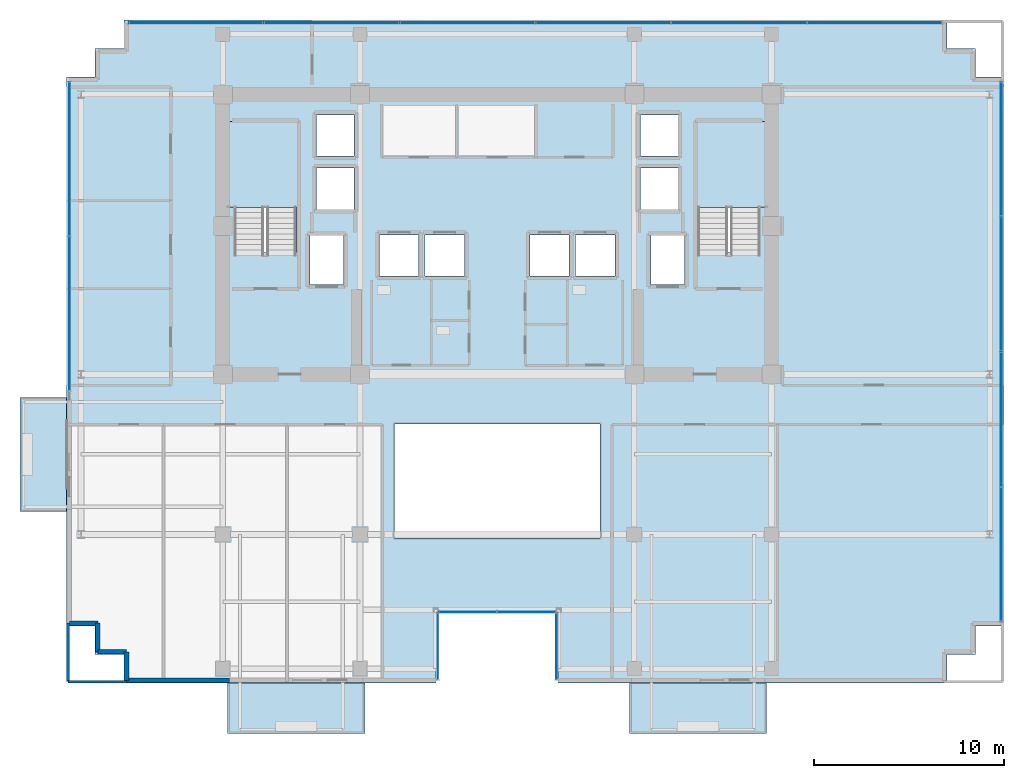
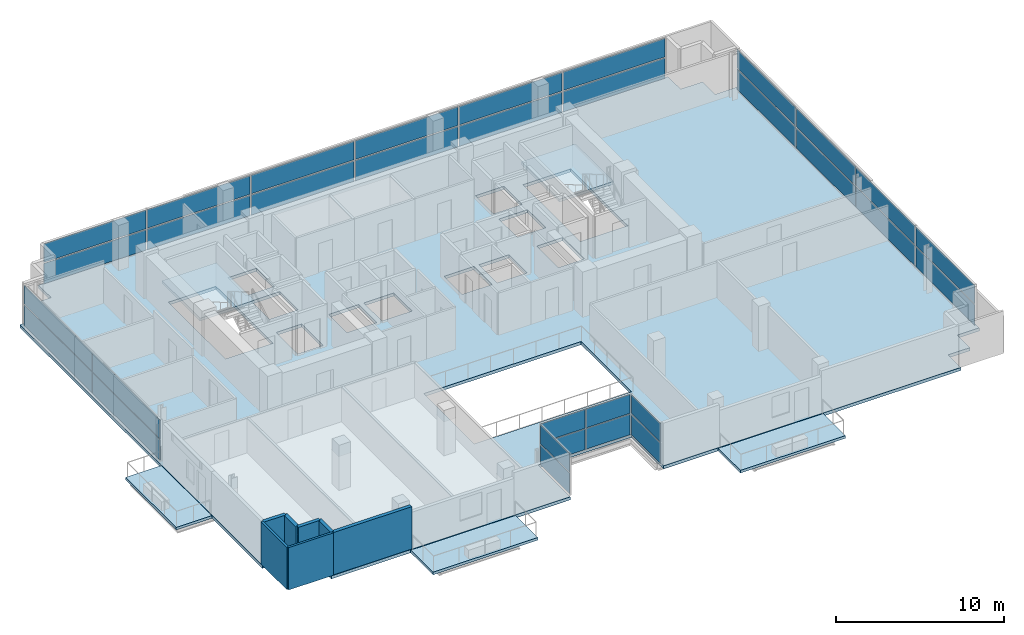
# One storey, part 14 of 22: 32 plates, 7 walls, 6 slabs, 8 elements without a shape of their own.
"""IFC4 building model written with IfcOpenShell, lengths in metres."""

from ifc_helpers import new_model, si_unit, direction, frame, frame_2d, origin, origin_2d, place, context, subcontext, project, spatial, polyline, rectangle, outline, extrude, source, transform, mapped, material, layer, layer_set, type_object, element, aggregate, save


model = new_model("IFC4")

# Units and contexts
model_context = context("Model", 3, precision=1e-05, world=origin(), true_north=direction((0.0, 1.0)))
body_context = subcontext(model_context, "Body", "Model", "MODEL_VIEW")
ifc_project = project(units=[si_unit("LENGTHUNIT", "METRE"), si_unit("AREAUNIT", "SQUARE_METRE"), si_unit("VOLUMEUNIT", "CUBIC_METRE"), si_unit("PLANEANGLEUNIT", "RADIAN"), si_unit("MASSUNIT", "GRAM", prefix="KILO")], contexts=[model_context])

# Site, building, storey
site_placement = place(None, origin())
site = spatial("IfcSite", under=ifc_project, at=site_placement, CompositionType="ELEMENT")
building_placement = place(site_placement, origin())
building = spatial("IfcBuilding", under=site, at=building_placement, Name="Zarnakvel Exchange Tower", CompositionType="ELEMENT")
storey_placement = place(building_placement, frame((0.0, 0.0, 179.199951171875)))
storey = spatial("IfcBuildingStorey", under=building, at=storey_placement, Name="L50", CompositionType="ELEMENT", Elevation=179.199951171875)

# Stair, slab
ifc_material_1 = material(Name="Concrete C40/50", Category="concrete")
stair_type = type_object("IfcStairType", Name="STR-01", PredefinedType="HALF_TURN_STAIR", material=ifc_material_1)
stair_1_placement = place(storey_placement, origin())
stair_1 = element("IfcStair", 1, at=stair_1_placement, inside=storey, type_object=stair_type, Name="L50 Protected Core Exit Stair ST-01", PredefinedType="HALF_TURN_STAIR")
ifc_layer_1 = layer(ifc_material_1, 0.199951171875)
ifc_layer_set_1 = layer_set([ifc_layer_1], Name="Concrete C40/50")
slab_type_1 = type_object("IfcSlabType", Name="LDG-01", PredefinedType="LANDING", material=ifc_layer_set_1)
slab_1_placement = place(storey_placement, frame((0.0, 0.0, 1.449951171875)))
slab_1 = element("IfcSlab", 2, at=slab_1_placement, type_object=slab_type_1, Name="ST-01 landing 1", PredefinedType="LANDING", context=body_context, shape_type="SweptSolid", body=[
    extrude(outline(polyline([(-14.18994140625, 7.570068359375), (-10.4599609375, 7.570068359375), (-10.4599609375, 12.080078125), (-14.18994140625, 12.080078125), (-14.18994140625, 7.570068359375)])), origin(), (0.0, 0.0, 1.0), 0.2001953125),
])
aggregate(stair_1, [slab_1])

stair_2_placement = place(storey_placement, origin())
stair_2 = element("IfcStair", 3, at=stair_2_placement, inside=storey, type_object=stair_type, Name="L50 Protected Core Exit Stair ST-02", PredefinedType="HALF_TURN_STAIR")
slab_2_placement = place(storey_placement, frame((0.0, 0.0, 1.449951171875)))
slab_2 = element("IfcSlab", 4, at=slab_2_placement, type_object=slab_type_1, Name="ST-02 landing 1", PredefinedType="LANDING", context=body_context, shape_type="SweptSolid", body=[
    extrude(outline(polyline([(10.4599609375, 7.570068359375), (14.18994140625, 7.570068359375), (14.18994140625, 12.080078125), (10.4599609375, 12.080078125), (10.4599609375, 7.570068359375)])), origin(), (0.0, 0.0, 1.0), 0.2001953125),
])
aggregate(stair_2, [slab_2])

# Slabs
ifc_layer_2 = layer(ifc_material_1, 0.22509765625)
ifc_layer_set_2 = layer_set([ifc_layer_2], Name="Concrete C40/50")
slab_type_2 = type_object("IfcSlabType", Name="SL-04", PredefinedType="FLOOR", material=ifc_layer_set_2)
slab_3_placement = place(storey_placement, frame((0.0, 0.0, -0.224853515625)))
element("IfcSlab", 5, at=slab_3_placement, inside=storey, type_object=slab_type_2, Name="L50 Primary Structural Floor Slab", PredefinedType="FLOOR", context=body_context, shape_type="SweptSolid", body=[
    extrude(outline(polyline([(-22.60009765625, -14.39990234375), (-21.10009765625, -14.39990234375), (-21.10009765625, -15.89990234375), (-19.60009765625, -15.89990234375), (-19.60009765625, -17.39990234375), (-3.199951171875, -17.39990234375), (-3.199951171875, -13.60009765625), (3.199951171875, -13.60009765625), (3.199951171875, -17.39990234375), (23.60009765625, -17.39990234375), (23.60009765625, -15.89990234375), (25.10009765625, -15.89990234375), (25.10009765625, -14.39990234375), (26.60009765625, -14.39990234375), (26.60009765625, 14.39990234375), (25.10009765625, 14.39990234375), (25.10009765625, 15.89990234375), (23.60009765625, 15.89990234375), (23.60009765625, 17.39990234375), (-19.60009765625, 17.39990234375), (-19.60009765625, 15.89990234375), (-21.10009765625, 15.89990234375), (-21.10009765625, 14.39990234375), (-22.60009765625, 14.39990234375), (-22.60009765625, -14.39990234375)]), holes=[polyline([(-5.39990234375, -9.800048828125), (5.39990234375, -9.800048828125), (5.39990234375, -3.800048828125), (-5.39990234375, -3.800048828125), (-5.39990234375, -9.800048828125)]), polyline([(-13.800048828125, 5.2099609375), (-10.5400390625, 5.2099609375), (-10.5400390625, 12.0), (-13.800048828125, 12.0), (-13.800048828125, 5.2099609375)]), polyline([(10.5400390625, 5.2099609375), (13.800048828125, 5.2099609375), (13.800048828125, 12.0), (10.5400390625, 12.0), (10.5400390625, 5.2099609375)]), polyline([(-9.830078125, 3.52001953125), (-8.070068359375, 3.52001953125), (-8.070068359375, 6.080078125), (-9.830078125, 6.080078125), (-9.830078125, 3.52001953125)]), polyline([(8.070068359375, 3.52001953125), (9.830078125, 3.52001953125), (9.830078125, 6.080078125), (8.070068359375, 6.080078125), (8.070068359375, 3.52001953125)]), polyline([(-6.179931640625, 3.969970703125), (-4.1201171875, 3.969970703125), (-4.1201171875, 6.1298828125), (-6.179931640625, 6.1298828125), (-6.179931640625, 3.969970703125)]), polyline([(-3.780029296875, 3.969970703125), (-1.719970703125, 3.969970703125), (-1.719970703125, 6.1298828125), (-3.780029296875, 6.1298828125), (-3.780029296875, 3.969970703125)]), polyline([(1.719970703125, 3.969970703125), (3.780029296875, 3.969970703125), (3.780029296875, 6.1298828125), (1.719970703125, 6.1298828125), (1.719970703125, 3.969970703125)]), polyline([(4.1201171875, 3.969970703125), (6.179931640625, 3.969970703125), (6.179931640625, 6.1298828125), (4.1201171875, 6.1298828125), (4.1201171875, 3.969970703125)]), polyline([(-9.47998046875, 7.469970703125), (-7.52001953125, 7.469970703125), (-7.52001953125, 9.6298828125), (-9.47998046875, 9.6298828125), (-9.47998046875, 7.469970703125)]), polyline([(-9.47998046875, 10.27001953125), (-7.52001953125, 10.27001953125), (-7.52001953125, 12.429931640625), (-9.47998046875, 12.429931640625), (-9.47998046875, 10.27001953125)]), polyline([(7.52001953125, 7.469970703125), (9.47998046875, 7.469970703125), (9.47998046875, 9.6298828125), (7.52001953125, 9.6298828125), (7.52001953125, 7.469970703125)]), polyline([(7.52001953125, 10.27001953125), (9.47998046875, 10.27001953125), (9.47998046875, 12.429931640625), (7.52001953125, 12.429931640625), (7.52001953125, 10.27001953125)])]), origin(), (0.0, 0.0, 1.0), 0.224853515625),
])
ifc_layer_3 = layer(ifc_material_1, 0.18994140625)
ifc_layer_set_3 = layer_set([ifc_layer_3], Name="Concrete C40/50")
slab_type_3 = type_object("IfcSlabType", Name="SL-08", PredefinedType="USERDEFINED", material=ifc_layer_set_3)
slab_4_placement = place(storey_placement, frame((0.0, 0.0, -0.224853515625)))
element("IfcSlab", 6, at=slab_4_placement, inside=storey, type_object=slab_type_3, Name="L50 Planted Loggia Balcony Slab BAL-L50-SW", ObjectType="BALCONY", PredefinedType="USERDEFINED", context=body_context, shape_type="SweptSolid", body=[
    extrude(outline(polyline([(-14.14990234375, -20.050048828125), (-6.949951171875, -20.050048828125), (-6.949951171875, -17.39990234375), (-14.14990234375, -17.39990234375), (-14.14990234375, -20.050048828125)])), origin(), (0.0, 0.0, 1.0), 0.18994140625),
])
slab_5_placement = place(storey_placement, frame((0.0, 0.0, -0.224853515625)))
element("IfcSlab", 7, at=slab_5_placement, inside=storey, type_object=slab_type_3, Name="L50 Planted Loggia Balcony Slab BAL-L50-SE", ObjectType="BALCONY", PredefinedType="USERDEFINED", context=body_context, shape_type="SweptSolid", body=[
    extrude(outline(polyline([(6.949951171875, -20.050048828125), (14.14990234375, -20.050048828125), (14.14990234375, -17.39990234375), (6.949951171875, -17.39990234375), (6.949951171875, -20.050048828125)])), origin(), (0.0, 0.0, 1.0), 0.18994140625),
])
slab_6_placement = place(storey_placement, frame((0.0, 0.0, -0.224853515625)))
element("IfcSlab", 8, at=slab_6_placement, inside=storey, type_object=slab_type_3, Name="L50 Planted Loggia Balcony Slab BAL-L50-W", ObjectType="BALCONY", PredefinedType="USERDEFINED", context=body_context, shape_type="SweptSolid", body=[
    extrude(outline(polyline([(-25.050048828125, -8.39990234375), (-22.60009765625, -8.39990234375), (-22.60009765625, -2.39990234375), (-25.050048828125, -2.39990234375), (-25.050048828125, -8.39990234375)])), origin(), (0.0, 0.0, 1.0), 0.18994140625),
])

# Curtain wall, plate
ifc_material_2 = material(Name="Architectural Bronze Anodised Aluminium", Category="aluminium")
ifc_layer_4 = layer(ifc_material_2, 0.179931640625)
ifc_layer_set_4 = layer_set([ifc_layer_4], Name="Architectural Bronze Anodised Aluminium")
curtain_wall_type_1 = type_object("IfcCurtainWallType", Name="CW-05", PredefinedType="NOTDEFINED", material=ifc_layer_set_4)
curtain_wall_1_placement = place(storey_placement, origin())
curtain_wall_1 = element("IfcCurtainWall", 9, at=curtain_wall_1_placement, inside=storey, type_object=curtain_wall_type_1, Name="L50 Curtain Wall CW-L50-SLW (CW-05)", PredefinedType="NOTDEFINED")
ifc_material_3 = material(Name="Double Low-E Laminated Vision Glass", Category="glass")
ifc_layer_5 = layer(ifc_material_3, 0.02587890625)
ifc_layer_set_5 = layer_set([ifc_layer_5], Name="Double Low-E Laminated Vision Glass")
plate_type_1 = type_object("IfcPlateType", Name="CWP-05", PredefinedType="CURTAIN_PANEL", material=ifc_layer_set_5)
shared_shape_1 = source(origin(), body_context, "Body", "SweptSolid", [
    extrude(rectangle(XDim=3.4599609375, YDim=0.02587890625, at=origin_2d()), origin(), (0.0, 0.0, 1.0), 1.483642578125),
])
plate_1_placement = place(storey_placement, frame((-3.1201171875, -15.47998046875, 0.06982421875), z_axis=(0.0, 0.0, 1.0), x_axis=(0.0, 1.0, 0.0)))
plate_1 = element("IfcPlate", 10, at=plate_1_placement, type_object=plate_type_1, Name="CW-05 panel 1.1", PredefinedType="CURTAIN_PANEL", context=body_context, shape_type="MappedRepresentation", body=[
    mapped(shared_shape_1, transform((0.0, 0.0, 0.0), x_axis=(1.0, 0.0, 0.0), y_axis=(0.0, 1.0, 0.0), z_axis=(0.0, 0.0, 1.0), scale=1.0)),
])

curtain_wall_2_placement = place(storey_placement, origin())
curtain_wall_2 = element("IfcCurtainWall", 11, at=curtain_wall_2_placement, inside=storey, type_object=curtain_wall_type_1, Name="L50 Curtain Wall CW-L50-SLE (CW-05)", PredefinedType="NOTDEFINED")
plate_2_placement = place(storey_placement, frame((3.1201171875, -15.47998046875, 0.06982421875), z_axis=(0.0, 0.0, 1.0), x_axis=(0.0, -1.0, 0.0)))
plate_2 = element("IfcPlate", 12, at=plate_2_placement, type_object=plate_type_1, Name="CW-05 panel 1.1", PredefinedType="CURTAIN_PANEL", context=body_context, shape_type="MappedRepresentation", body=[
    mapped(shared_shape_1, transform((0.0, 0.0, 0.0), x_axis=(1.0, 0.0, 0.0), y_axis=(0.0, 1.0, 0.0), z_axis=(0.0, 0.0, 1.0), scale=1.0)),
])

# Plate
shared_shape_2 = source(origin(), body_context, "Body", "SweptSolid", [
    extrude(rectangle(XDim=3.4599609375, YDim=0.02587890625, at=origin_2d()), origin(), (0.0, 0.0, 1.0), 1.361328125),
])
plate_3_placement = place(storey_placement, frame((-3.1201171875, -15.47998046875, 1.623779296875), z_axis=(0.0, 0.0, 1.0), x_axis=(0.0, 1.0, 0.0)))
plate_3 = element("IfcPlate", 13, at=plate_3_placement, type_object=plate_type_1, Name="CW-05 panel 1.2", PredefinedType="CURTAIN_PANEL", context=body_context, shape_type="MappedRepresentation", body=[
    mapped(shared_shape_2, transform((0.0, 0.0, 0.0), x_axis=(1.0, 0.0, 0.0), y_axis=(0.0, 1.0, 0.0), z_axis=(0.0, 0.0, 1.0), scale=1.0)),
])

aggregate(curtain_wall_1, [plate_1, plate_3])

plate_4_placement = place(storey_placement, frame((3.1201171875, -15.47998046875, 1.623779296875), z_axis=(0.0, 0.0, 1.0), x_axis=(0.0, -1.0, 0.0)))
plate_4 = element("IfcPlate", 14, at=plate_4_placement, type_object=plate_type_1, Name="CW-05 panel 1.2", PredefinedType="CURTAIN_PANEL", context=body_context, shape_type="MappedRepresentation", body=[
    mapped(shared_shape_2, transform((0.0, 0.0, 0.0), x_axis=(1.0, 0.0, 0.0), y_axis=(0.0, 1.0, 0.0), z_axis=(0.0, 0.0, 1.0), scale=1.0)),
])

aggregate(curtain_wall_2, [plate_2, plate_4])

# Curtain wall, plates
curtain_wall_3_placement = place(storey_placement, origin())
curtain_wall_3 = element("IfcCurtainWall", 15, at=curtain_wall_3_placement, inside=storey, type_object=curtain_wall_type_1, Name="L50 Curtain Wall CW-L50-SLB (CW-05)", PredefinedType="NOTDEFINED")
shared_shape_3 = source(origin(), body_context, "Body", "SweptSolid", [
    extrude(rectangle(XDim=3.014892578125, YDim=0.02587890625, at=origin_2d()), origin(), (0.0, 0.0, 1.0), 1.483642578125),
])
plate_5_placement = place(storey_placement, frame((-1.54248046875, -13.679931640625, 0.06982421875), z_axis=(0.0, 0.0, 1.0), x_axis=(1.0, 0.0, 0.0)))
plate_5 = element("IfcPlate", 16, at=plate_5_placement, type_object=plate_type_1, Name="CW-05 panel 1.1", PredefinedType="CURTAIN_PANEL", context=body_context, shape_type="MappedRepresentation", body=[
    mapped(shared_shape_3, transform((0.0, 0.0, 0.0), x_axis=(1.0, 0.0, 0.0), y_axis=(0.0, 1.0, 0.0), z_axis=(0.0, 0.0, 1.0), scale=1.0)),
])
plate_6_placement = place(storey_placement, frame((1.54248046875, -13.679931640625, 0.06982421875), z_axis=(0.0, 0.0, 1.0), x_axis=(1.0, 0.0, 0.0)))
plate_6 = element("IfcPlate", 17, at=plate_6_placement, type_object=plate_type_1, Name="CW-05 panel 2.1", PredefinedType="CURTAIN_PANEL", context=body_context, shape_type="MappedRepresentation", body=[
    mapped(shared_shape_3, transform((0.0, 0.0, 0.0), x_axis=(1.0, 0.0, 0.0), y_axis=(0.0, 1.0, 0.0), z_axis=(0.0, 0.0, 1.0), scale=1.0)),
])
shared_shape_4 = source(origin(), body_context, "Body", "SweptSolid", [
    extrude(rectangle(XDim=3.014892578125, YDim=0.02587890625, at=origin_2d()), origin(), (0.0, 0.0, 1.0), 1.361328125),
])
plate_7_placement = place(storey_placement, frame((-1.54248046875, -13.679931640625, 1.623779296875), z_axis=(0.0, 0.0, 1.0), x_axis=(1.0, 0.0, 0.0)))
plate_7 = element("IfcPlate", 18, at=plate_7_placement, type_object=plate_type_1, Name="CW-05 panel 1.2", PredefinedType="CURTAIN_PANEL", context=body_context, shape_type="MappedRepresentation", body=[
    mapped(shared_shape_4, transform((0.0, 0.0, 0.0), x_axis=(1.0, 0.0, 0.0), y_axis=(0.0, 1.0, 0.0), z_axis=(0.0, 0.0, 1.0), scale=1.0)),
])
plate_8_placement = place(storey_placement, frame((1.54248046875, -13.679931640625, 1.623779296875), z_axis=(0.0, 0.0, 1.0), x_axis=(1.0, 0.0, 0.0)))
plate_8 = element("IfcPlate", 19, at=plate_8_placement, type_object=plate_type_1, Name="CW-05 panel 2.2", PredefinedType="CURTAIN_PANEL", context=body_context, shape_type="MappedRepresentation", body=[
    mapped(shared_shape_4, transform((0.0, 0.0, 0.0), x_axis=(1.0, 0.0, 0.0), y_axis=(0.0, 1.0, 0.0), z_axis=(0.0, 0.0, 1.0), scale=1.0)),
])
aggregate(curtain_wall_3, [plate_5, plate_7, plate_6, plate_8])

ifc_layer_6 = layer(ifc_material_2, 0.219970703125)
ifc_layer_set_6 = layer_set([ifc_layer_6], Name="Architectural Bronze Anodised Aluminium")
curtain_wall_type_2 = type_object("IfcCurtainWallType", Name="CW-03", PredefinedType="NOTDEFINED", material=ifc_layer_set_6)
curtain_wall_4_placement = place(storey_placement, origin())
curtain_wall_4 = element("IfcCurtainWall", 20, at=curtain_wall_4_placement, inside=storey, type_object=curtain_wall_type_2, Name="L50 Curtain Wall CW-L50-N1 (CW-03)", PredefinedType="NOTDEFINED")
ifc_layer_7 = layer(ifc_material_3, 0.030029296875)
ifc_layer_set_7 = layer_set([ifc_layer_7], Name="Double Low-E Laminated Vision Glass")
plate_type_2 = type_object("IfcPlateType", Name="CWP-03", PredefinedType="CURTAIN_PANEL", material=ifc_layer_set_7)
shared_shape_5 = source(origin(), body_context, "Body", "SweptSolid", [
    extrude(rectangle(XDim=7.013427734375, YDim=0.030029296875, at=origin_2d()), origin(), (0.0, 0.0, 1.0), 1.468505859375),
])
plate_9_placement = place(storey_placement, frame((-15.813232421875, 17.260009765625, 0.080078125), z_axis=(0.0, 0.0, 1.0), x_axis=(1.0, 0.0, 0.0)))
plate_9 = element("IfcPlate", 21, at=plate_9_placement, type_object=plate_type_2, Name="CW-03 panel 1.1", PredefinedType="CURTAIN_PANEL", context=body_context, shape_type="MappedRepresentation", body=[
    mapped(shared_shape_5, transform((0.0, 0.0, 0.0), x_axis=(1.0, 0.0, 0.0), y_axis=(0.0, 1.0, 0.0), z_axis=(0.0, 0.0, 1.0), scale=1.0)),
])
plate_10_placement = place(storey_placement, frame((19.813232421875, 17.260009765625, 0.080078125), z_axis=(0.0, 0.0, 1.0), x_axis=(1.0, 0.0, 0.0)))
plate_10 = element("IfcPlate", 22, at=plate_10_placement, type_object=plate_type_2, Name="CW-03 panel 6.1", PredefinedType="CURTAIN_PANEL", context=body_context, shape_type="MappedRepresentation", body=[
    mapped(shared_shape_5, transform((0.0, 0.0, 0.0), x_axis=(1.0, 0.0, 0.0), y_axis=(0.0, 1.0, 0.0), z_axis=(0.0, 0.0, 1.0), scale=1.0)),
])
shared_shape_6 = source(origin(), body_context, "Body", "SweptSolid", [
    extrude(rectangle(XDim=7.013427734375, YDim=0.030029296875, at=origin_2d()), origin(), (0.0, 0.0, 1.0), 1.346435546875),
])
plate_11_placement = place(storey_placement, frame((-15.813232421875, 17.260009765625, 1.62841796875), z_axis=(0.0, 0.0, 1.0), x_axis=(1.0, 0.0, 0.0)))
plate_11 = element("IfcPlate", 23, at=plate_11_placement, type_object=plate_type_2, Name="CW-03 panel 1.2", PredefinedType="CURTAIN_PANEL", context=body_context, shape_type="MappedRepresentation", body=[
    mapped(shared_shape_6, transform((0.0, 0.0, 0.0), x_axis=(1.0, 0.0, 0.0), y_axis=(0.0, 1.0, 0.0), z_axis=(0.0, 0.0, 1.0), scale=1.0)),
])
plate_12_placement = place(storey_placement, frame((19.813232421875, 17.260009765625, 1.62841796875), z_axis=(0.0, 0.0, 1.0), x_axis=(1.0, 0.0, 0.0)))
plate_12 = element("IfcPlate", 24, at=plate_12_placement, type_object=plate_type_2, Name="CW-03 panel 6.2", PredefinedType="CURTAIN_PANEL", context=body_context, shape_type="MappedRepresentation", body=[
    mapped(shared_shape_6, transform((0.0, 0.0, 0.0), x_axis=(1.0, 0.0, 0.0), y_axis=(0.0, 1.0, 0.0), z_axis=(0.0, 0.0, 1.0), scale=1.0)),
])
shared_shape_7 = source(origin(), body_context, "Body", "SweptSolid", [
    extrude(rectangle(XDim=7.05322265625, YDim=0.030029296875, at=origin_2d()), origin(), (0.0, 0.0, 1.0), 1.468505859375),
])
plate_13_placement = place(storey_placement, frame((-8.699951171875, 17.260009765625, 0.080078125), z_axis=(0.0, 0.0, 1.0), x_axis=(1.0, 0.0, 0.0)))
plate_13 = element("IfcPlate", 25, at=plate_13_placement, type_object=plate_type_2, Name="CW-03 panel 2.1", PredefinedType="CURTAIN_PANEL", context=body_context, shape_type="MappedRepresentation", body=[
    mapped(shared_shape_7, transform((0.0, 0.0, 0.0), x_axis=(1.0, 0.0, 0.0), y_axis=(0.0, 1.0, 0.0), z_axis=(0.0, 0.0, 1.0), scale=1.0)),
])
plate_14_placement = place(storey_placement, frame((-1.566650390625, 17.260009765625, 0.080078125), z_axis=(0.0, 0.0, 1.0), x_axis=(1.0, 0.0, 0.0)))
plate_14 = element("IfcPlate", 26, at=plate_14_placement, type_object=plate_type_2, Name="CW-03 panel 3.1", PredefinedType="CURTAIN_PANEL", context=body_context, shape_type="MappedRepresentation", body=[
    mapped(shared_shape_7, transform((0.0, 0.0, 0.0), x_axis=(1.0, 0.0, 0.0), y_axis=(0.0, 1.0, 0.0), z_axis=(0.0, 0.0, 1.0), scale=1.0)),
])
plate_15_placement = place(storey_placement, frame((5.566650390625, 17.260009765625, 0.080078125), z_axis=(0.0, 0.0, 1.0), x_axis=(1.0, 0.0, 0.0)))
plate_15 = element("IfcPlate", 27, at=plate_15_placement, type_object=plate_type_2, Name="CW-03 panel 4.1", PredefinedType="CURTAIN_PANEL", context=body_context, shape_type="MappedRepresentation", body=[
    mapped(shared_shape_7, transform((0.0, 0.0, 0.0), x_axis=(1.0, 0.0, 0.0), y_axis=(0.0, 1.0, 0.0), z_axis=(0.0, 0.0, 1.0), scale=1.0)),
])
plate_16_placement = place(storey_placement, frame((12.699951171875, 17.260009765625, 0.080078125), z_axis=(0.0, 0.0, 1.0), x_axis=(1.0, 0.0, 0.0)))
plate_16 = element("IfcPlate", 28, at=plate_16_placement, type_object=plate_type_2, Name="CW-03 panel 5.1", PredefinedType="CURTAIN_PANEL", context=body_context, shape_type="MappedRepresentation", body=[
    mapped(shared_shape_7, transform((0.0, 0.0, 0.0), x_axis=(1.0, 0.0, 0.0), y_axis=(0.0, 1.0, 0.0), z_axis=(0.0, 0.0, 1.0), scale=1.0)),
])
shared_shape_8 = source(origin(), body_context, "Body", "SweptSolid", [
    extrude(rectangle(XDim=7.05322265625, YDim=0.030029296875, at=origin_2d()), origin(), (0.0, 0.0, 1.0), 1.346435546875),
])
plate_17_placement = place(storey_placement, frame((-8.699951171875, 17.260009765625, 1.62841796875), z_axis=(0.0, 0.0, 1.0), x_axis=(1.0, 0.0, 0.0)))
plate_17 = element("IfcPlate", 29, at=plate_17_placement, type_object=plate_type_2, Name="CW-03 panel 2.2", PredefinedType="CURTAIN_PANEL", context=body_context, shape_type="MappedRepresentation", body=[
    mapped(shared_shape_8, transform((0.0, 0.0, 0.0), x_axis=(1.0, 0.0, 0.0), y_axis=(0.0, 1.0, 0.0), z_axis=(0.0, 0.0, 1.0), scale=1.0)),
])
plate_18_placement = place(storey_placement, frame((-1.566650390625, 17.260009765625, 1.62841796875), z_axis=(0.0, 0.0, 1.0), x_axis=(1.0, 0.0, 0.0)))
plate_18 = element("IfcPlate", 30, at=plate_18_placement, type_object=plate_type_2, Name="CW-03 panel 3.2", PredefinedType="CURTAIN_PANEL", context=body_context, shape_type="MappedRepresentation", body=[
    mapped(shared_shape_8, transform((0.0, 0.0, 0.0), x_axis=(1.0, 0.0, 0.0), y_axis=(0.0, 1.0, 0.0), z_axis=(0.0, 0.0, 1.0), scale=1.0)),
])
plate_19_placement = place(storey_placement, frame((5.566650390625, 17.260009765625, 1.62841796875), z_axis=(0.0, 0.0, 1.0), x_axis=(1.0, 0.0, 0.0)))
plate_19 = element("IfcPlate", 31, at=plate_19_placement, type_object=plate_type_2, Name="CW-03 panel 4.2", PredefinedType="CURTAIN_PANEL", context=body_context, shape_type="MappedRepresentation", body=[
    mapped(shared_shape_8, transform((0.0, 0.0, 0.0), x_axis=(1.0, 0.0, 0.0), y_axis=(0.0, 1.0, 0.0), z_axis=(0.0, 0.0, 1.0), scale=1.0)),
])
plate_20_placement = place(storey_placement, frame((12.699951171875, 17.260009765625, 1.62841796875), z_axis=(0.0, 0.0, 1.0), x_axis=(1.0, 0.0, 0.0)))
plate_20 = element("IfcPlate", 32, at=plate_20_placement, type_object=plate_type_2, Name="CW-03 panel 5.2", PredefinedType="CURTAIN_PANEL", context=body_context, shape_type="MappedRepresentation", body=[
    mapped(shared_shape_8, transform((0.0, 0.0, 0.0), x_axis=(1.0, 0.0, 0.0), y_axis=(0.0, 1.0, 0.0), z_axis=(0.0, 0.0, 1.0), scale=1.0)),
])
aggregate(curtain_wall_4, [plate_9, plate_11, plate_13, plate_17, plate_14, plate_18, plate_15, plate_19, plate_16, plate_20, plate_10, plate_12])

ifc_layer_8 = layer(ifc_material_2, 0.199951171875)
ifc_layer_set_8 = layer_set([ifc_layer_8], Name="Architectural Bronze Anodised Aluminium")
curtain_wall_type_3 = type_object("IfcCurtainWallType", Name="CW-04", PredefinedType="NOTDEFINED", material=ifc_layer_set_8)
curtain_wall_5_placement = place(storey_placement, origin())
curtain_wall_5 = element("IfcCurtainWall", 33, at=curtain_wall_5_placement, inside=storey, type_object=curtain_wall_type_3, Name="L50 Curtain Wall CW-L50-WN (CW-04)", PredefinedType="NOTDEFINED")
ifc_layer_9 = layer(ifc_material_3, 0.028076171875)
ifc_layer_set_9 = layer_set([ifc_layer_9], Name="Double Low-E Laminated Vision Glass")
plate_type_3 = type_object("IfcPlateType", Name="CWP-04", PredefinedType="CURTAIN_PANEL", material=ifc_layer_set_9)
shared_shape_9 = source(origin(), body_context, "Body", "SweptSolid", [
    extrude(rectangle(XDim=8.03759765625, YDim=0.028076171875, at=origin_2d()), origin(), (0.0, 0.0, 1.0), 1.47607421875),
])
plate_21_placement = place(storey_placement, frame((-22.4599609375, 1.99365234375, 0.074951171875), z_axis=(0.0, 0.0, 1.0), x_axis=(0.0, 1.0, 0.0)))
plate_21 = element("IfcPlate", 34, at=plate_21_placement, type_object=plate_type_3, Name="CW-04 panel 1.1", PredefinedType="CURTAIN_PANEL", context=body_context, shape_type="MappedRepresentation", body=[
    mapped(shared_shape_9, transform((0.0, 0.0, 0.0), x_axis=(1.0, 0.0, 0.0), y_axis=(0.0, 1.0, 0.0), z_axis=(0.0, 0.0, 1.0), scale=1.0)),
])
plate_22_placement = place(storey_placement, frame((-22.4599609375, 10.106201171875, 0.074951171875), z_axis=(0.0, 0.0, 1.0), x_axis=(0.0, 1.0, 0.0)))
plate_22 = element("IfcPlate", 35, at=plate_22_placement, type_object=plate_type_3, Name="CW-04 panel 2.1", PredefinedType="CURTAIN_PANEL", context=body_context, shape_type="MappedRepresentation", body=[
    mapped(shared_shape_9, transform((0.0, 0.0, 0.0), x_axis=(1.0, 0.0, 0.0), y_axis=(0.0, 1.0, 0.0), z_axis=(0.0, 0.0, 1.0), scale=1.0)),
])
shared_shape_10 = source(origin(), body_context, "Body", "SweptSolid", [
    extrude(rectangle(XDim=8.03759765625, YDim=0.028076171875, at=origin_2d()), origin(), (0.0, 0.0, 1.0), 1.35400390625),
])
plate_23_placement = place(storey_placement, frame((-22.4599609375, 1.99365234375, 1.6259765625), z_axis=(0.0, 0.0, 1.0), x_axis=(0.0, 1.0, 0.0)))
plate_23 = element("IfcPlate", 36, at=plate_23_placement, type_object=plate_type_3, Name="CW-04 panel 1.2", PredefinedType="CURTAIN_PANEL", context=body_context, shape_type="MappedRepresentation", body=[
    mapped(shared_shape_10, transform((0.0, 0.0, 0.0), x_axis=(1.0, 0.0, 0.0), y_axis=(0.0, 1.0, 0.0), z_axis=(0.0, 0.0, 1.0), scale=1.0)),
])
plate_24_placement = place(storey_placement, frame((-22.4599609375, 10.106201171875, 1.6259765625), z_axis=(0.0, 0.0, 1.0), x_axis=(0.0, 1.0, 0.0)))
plate_24 = element("IfcPlate", 37, at=plate_24_placement, type_object=plate_type_3, Name="CW-04 panel 2.2", PredefinedType="CURTAIN_PANEL", context=body_context, shape_type="MappedRepresentation", body=[
    mapped(shared_shape_10, transform((0.0, 0.0, 0.0), x_axis=(1.0, 0.0, 0.0), y_axis=(0.0, 1.0, 0.0), z_axis=(0.0, 0.0, 1.0), scale=1.0)),
])
aggregate(curtain_wall_5, [plate_21, plate_23, plate_22, plate_24])

curtain_wall_6_placement = place(storey_placement, origin())
curtain_wall_6 = element("IfcCurtainWall", 38, at=curtain_wall_6_placement, inside=storey, type_object=curtain_wall_type_3, Name="L50 Curtain Wall CW-L50-E1 (CW-04)", PredefinedType="NOTDEFINED")
shared_shape_11 = source(origin(), body_context, "Body", "SweptSolid", [
    extrude(rectangle(XDim=6.987548828125, YDim=0.028076171875, at=origin_2d()), origin(), (0.0, 0.0, 1.0), 1.47607421875),
])
plate_25_placement = place(storey_placement, frame((26.4599609375, -10.63134765625, 0.074951171875), z_axis=(0.0, 0.0, 1.0), x_axis=(0.0, 1.0, 0.0)))
plate_25 = element("IfcPlate", 39, at=plate_25_placement, type_object=plate_type_3, Name="CW-04 panel 1.1", PredefinedType="CURTAIN_PANEL", context=body_context, shape_type="MappedRepresentation", body=[
    mapped(shared_shape_11, transform((0.0, 0.0, 0.0), x_axis=(1.0, 0.0, 0.0), y_axis=(0.0, 1.0, 0.0), z_axis=(0.0, 0.0, 1.0), scale=1.0)),
])
plate_26_placement = place(storey_placement, frame((26.4599609375, 10.63134765625, 0.074951171875), z_axis=(0.0, 0.0, 1.0), x_axis=(0.0, 1.0, 0.0)))
plate_26 = element("IfcPlate", 40, at=plate_26_placement, type_object=plate_type_3, Name="CW-04 panel 4.1", PredefinedType="CURTAIN_PANEL", context=body_context, shape_type="MappedRepresentation", body=[
    mapped(shared_shape_11, transform((0.0, 0.0, 0.0), x_axis=(1.0, 0.0, 0.0), y_axis=(0.0, 1.0, 0.0), z_axis=(0.0, 0.0, 1.0), scale=1.0)),
])
shared_shape_12 = source(origin(), body_context, "Body", "SweptSolid", [
    extrude(rectangle(XDim=6.987548828125, YDim=0.028076171875, at=origin_2d()), origin(), (0.0, 0.0, 1.0), 1.35400390625),
])
plate_27_placement = place(storey_placement, frame((26.4599609375, -10.63134765625, 1.6259765625), z_axis=(0.0, 0.0, 1.0), x_axis=(0.0, 1.0, 0.0)))
plate_27 = element("IfcPlate", 41, at=plate_27_placement, type_object=plate_type_3, Name="CW-04 panel 1.2", PredefinedType="CURTAIN_PANEL", context=body_context, shape_type="MappedRepresentation", body=[
    mapped(shared_shape_12, transform((0.0, 0.0, 0.0), x_axis=(1.0, 0.0, 0.0), y_axis=(0.0, 1.0, 0.0), z_axis=(0.0, 0.0, 1.0), scale=1.0)),
])
plate_28_placement = place(storey_placement, frame((26.4599609375, 10.63134765625, 1.6259765625), z_axis=(0.0, 0.0, 1.0), x_axis=(0.0, 1.0, 0.0)))
plate_28 = element("IfcPlate", 42, at=plate_28_placement, type_object=plate_type_3, Name="CW-04 panel 4.2", PredefinedType="CURTAIN_PANEL", context=body_context, shape_type="MappedRepresentation", body=[
    mapped(shared_shape_12, transform((0.0, 0.0, 0.0), x_axis=(1.0, 0.0, 0.0), y_axis=(0.0, 1.0, 0.0), z_axis=(0.0, 0.0, 1.0), scale=1.0)),
])
shared_shape_13 = source(origin(), body_context, "Body", "SweptSolid", [
    extrude(rectangle(XDim=7.02490234375, YDim=0.028076171875, at=origin_2d()), origin(), (0.0, 0.0, 1.0), 1.47607421875),
])
plate_29_placement = place(storey_placement, frame((26.4599609375, -3.550048828125, 0.074951171875), z_axis=(0.0, 0.0, 1.0), x_axis=(0.0, 1.0, 0.0)))
plate_29 = element("IfcPlate", 43, at=plate_29_placement, type_object=plate_type_3, Name="CW-04 panel 2.1", PredefinedType="CURTAIN_PANEL", context=body_context, shape_type="MappedRepresentation", body=[
    mapped(shared_shape_13, transform((0.0, 0.0, 0.0), x_axis=(1.0, 0.0, 0.0), y_axis=(0.0, 1.0, 0.0), z_axis=(0.0, 0.0, 1.0), scale=1.0)),
])
plate_30_placement = place(storey_placement, frame((26.4599609375, 3.550048828125, 0.074951171875), z_axis=(0.0, 0.0, 1.0), x_axis=(0.0, 1.0, 0.0)))
plate_30 = element("IfcPlate", 44, at=plate_30_placement, type_object=plate_type_3, Name="CW-04 panel 3.1", PredefinedType="CURTAIN_PANEL", context=body_context, shape_type="MappedRepresentation", body=[
    mapped(shared_shape_13, transform((0.0, 0.0, 0.0), x_axis=(1.0, 0.0, 0.0), y_axis=(0.0, 1.0, 0.0), z_axis=(0.0, 0.0, 1.0), scale=1.0)),
])
shared_shape_14 = source(origin(), body_context, "Body", "SweptSolid", [
    extrude(rectangle(XDim=7.02490234375, YDim=0.028076171875, at=origin_2d()), origin(), (0.0, 0.0, 1.0), 1.35400390625),
])
plate_31_placement = place(storey_placement, frame((26.4599609375, -3.550048828125, 1.6259765625), z_axis=(0.0, 0.0, 1.0), x_axis=(0.0, 1.0, 0.0)))
plate_31 = element("IfcPlate", 45, at=plate_31_placement, type_object=plate_type_3, Name="CW-04 panel 2.2", PredefinedType="CURTAIN_PANEL", context=body_context, shape_type="MappedRepresentation", body=[
    mapped(shared_shape_14, transform((0.0, 0.0, 0.0), x_axis=(1.0, 0.0, 0.0), y_axis=(0.0, 1.0, 0.0), z_axis=(0.0, 0.0, 1.0), scale=1.0)),
])
plate_32_placement = place(storey_placement, frame((26.4599609375, 3.550048828125, 1.6259765625), z_axis=(0.0, 0.0, 1.0), x_axis=(0.0, 1.0, 0.0)))
plate_32 = element("IfcPlate", 46, at=plate_32_placement, type_object=plate_type_3, Name="CW-04 panel 3.2", PredefinedType="CURTAIN_PANEL", context=body_context, shape_type="MappedRepresentation", body=[
    mapped(shared_shape_14, transform((0.0, 0.0, 0.0), x_axis=(1.0, 0.0, 0.0), y_axis=(0.0, 1.0, 0.0), z_axis=(0.0, 0.0, 1.0), scale=1.0)),
])
aggregate(curtain_wall_6, [plate_25, plate_27, plate_29, plate_31, plate_30, plate_32, plate_26, plate_28])

# Walls
ifc_material_4 = material(Name="Precast concrete C40/50", Category="concrete")
ifc_layer_10 = layer(ifc_material_4, 0.239990234375)
ifc_layer_set_10 = layer_set([ifc_layer_10], Name="Precast concrete C40/50")
wall_type_1 = type_object("IfcWallType", Name="EW-02", PredefinedType="SOLIDWALL", material=ifc_layer_set_10)
wall_placement = place(storey_placement, frame((-19.4599609375, -17.260009765625, 0.0), z_axis=(0.0, 0.0, 1.0), x_axis=(1.0, 0.0, 0.0)))
element("IfcWall", 47, at=wall_placement, inside=storey, type_object=wall_type_1, Name="L50 Exterior Precast Spandrel Wall EWC-L50-22 (EW-02)", PredefinedType="SOLIDWALL", context=body_context, shape_type="SweptSolid", body=[
    extrude(rectangle(XDim=5.409912109375, YDim=0.239990234375, at=frame_2d((2.705078125, 0.0))), origin(), (0.0, 0.0, 1.0), 3.074951171875),
])
for number, where, z_axis, x_axis, name in (
    (48, (-19.4599609375, -15.760009765625, 0.0), (0.0, 0.0, 1.0), (0.0, -1.0, 0.0), "L50 Exterior Precast Spandrel Wall EWC-L50-23 (EW-02)"),
    (49, (-20.9599609375, -15.760009765625, 0.0), (0.0, 0.0, 1.0), (1.0, 0.0, 0.0), "L50 Exterior Precast Spandrel Wall EWC-L50-24 (EW-02)"),
    (50, (-20.9599609375, -14.260009765625, 0.0), (0.0, 0.0, 1.0), (0.0, -1.0, 0.0), "L50 Exterior Precast Spandrel Wall EWC-L50-25 (EW-02)"),
    (51, (-22.4599609375, -14.260009765625, 0.0), (0.0, 0.0, 1.0), (1.0, 0.0, 0.0), "L50 Exterior Precast Spandrel Wall EWC-L50-26 (EW-02)"),
):
    element("IfcWall", number, at=place(storey_placement, frame(where, z_axis=z_axis, x_axis=x_axis)), inside=storey, type_object=wall_type_1, Name=name, PredefinedType="SOLIDWALL", context=body_context, shape_type="SweptSolid", body=[
        extrude(rectangle(XDim=1.5, YDim=0.239990234375, at=frame_2d((0.75, 0.0))), origin(), (0.0, 0.0, 1.0), 3.074951171875),
    ])
ifc_material_5 = material(Name="Fire-Rated Gypsum Stud Partition", Category="gypsum")
ifc_layer_11 = layer(ifc_material_5, 0.14990234375)
ifc_layer_set_11 = layer_set([ifc_layer_11], Name="Fire-Rated Gypsum Stud Partition")
wall_type_2 = type_object("IfcWallType", Name="PT-01", PredefinedType="PARTITIONING", material=ifc_layer_set_11)
for number, where, z_axis, x_axis, name in (
    (52, (-19.4599609375, -17.330078125, 0.0), (0.0, 0.0, 1.0), (-1.0, 0.0, 0.0), "L50 Partition Wall PWALL-L50-033 (PT-01)"),
    (53, (-22.530029296875, -17.330078125, 0.0), (0.0, 0.0, 1.0), (0.0, 1.0, 0.0), "L50 Partition Wall PWALL-L50-035 (PT-01)"),
):
    element("IfcWall", number, at=place(storey_placement, frame(where, z_axis=z_axis, x_axis=x_axis)), inside=storey, type_object=wall_type_2, Name=name, PredefinedType="PARTITIONING", context=body_context, shape_type="SweptSolid", body=[
        extrude(rectangle(XDim=3.070068359375, YDim=0.14990234375, at=frame_2d((1.53515625, 0.0))), origin(), (0.0, 0.0, 1.0), 3.074951171875),
    ])

save(model, "model.ifc")
